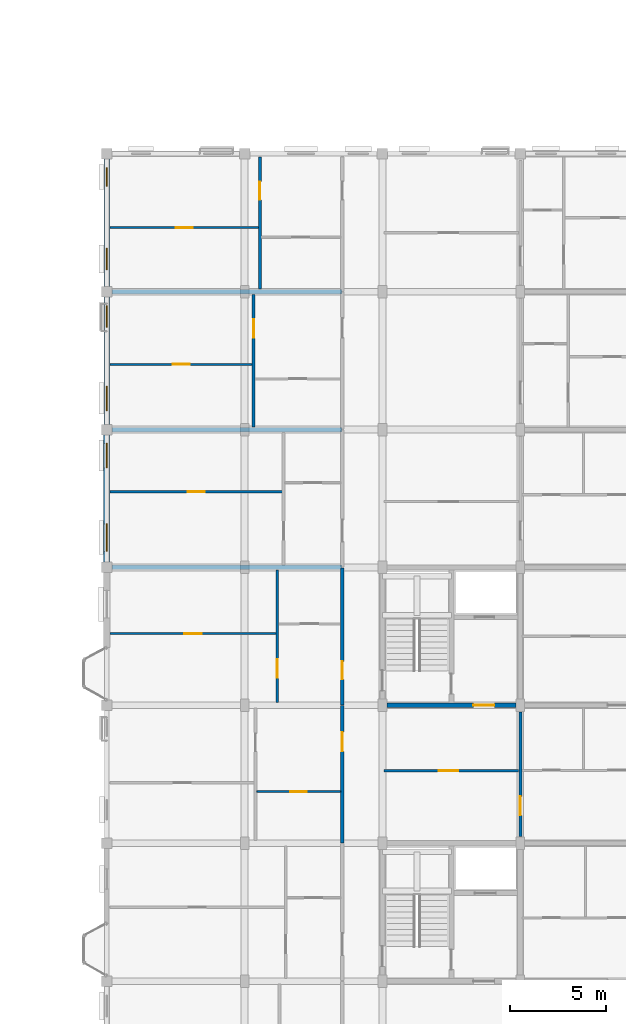
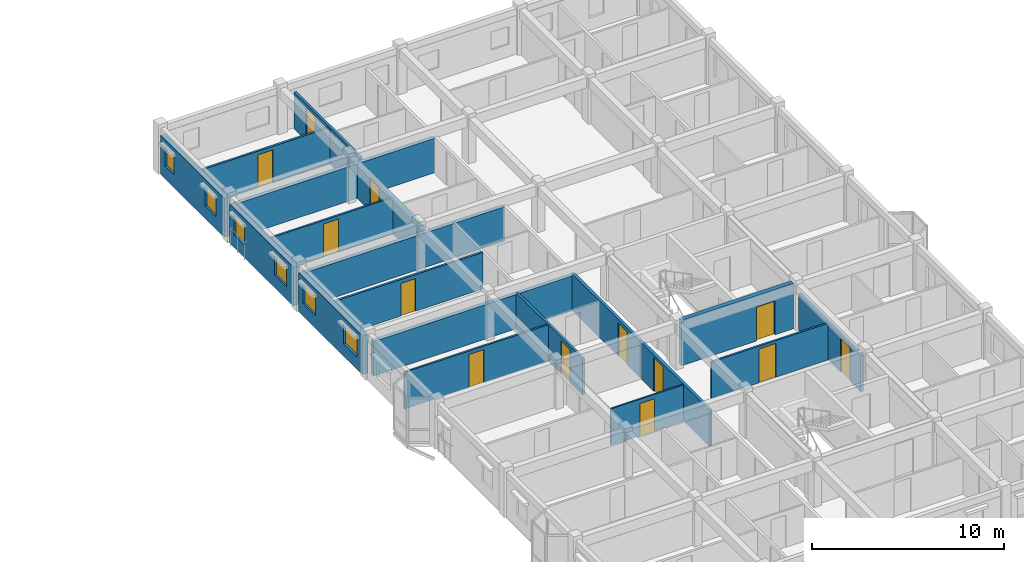
# One storey, part 62 of 79: 19 walls, 13 doors, 6 windows, 19 openings.
"""IFC4 building model written with IfcOpenShell, lengths in metres."""

import ifcopenshell
import ifcopenshell.guid

model = None  # the IFC model being written
_history = None  # IfcOwnerHistory: only IFC2X3 demands one
_inside = {}  # id of a spatial element -> (the spatial element, [elements in it])
_under = {}  # id of a project, library or spatial element -> (it, [spatial elements below it])
_declared = {}  # id of a project -> (the project, [libraries it declares])
_typed = {}  # id of a type object -> (the type object, [elements of that type])
_made_of = {}  # id of a material, layer set ... -> (it, [elements and type objects made of it])


def new_model(schema):
    """Start an empty IFC model of exactly this schema.

    Asked for "IFC4X3", IfcOpenShell would pick the latest addendum, in which some entities
    have other attributes; the version numbers below select the first issue.
    IFC2X3 requires an IfcOwnerHistory on every rooted entity: one is made here for all.
    """
    global model, _history
    if schema == "IFC4X3":
        model = ifcopenshell.file(schema_version=(4, 3, 0, 0))
    else:
        model = ifcopenshell.file(schema=schema)
    _inside.clear()
    _under.clear()
    _declared.clear()
    _typed.clear()
    _made_of.clear()
    _history = None
    if model.schema == "IFC2X3":
        org = make("IfcOrganization", Name="unknown")
        user = make(
            "IfcPersonAndOrganization",
            ThePerson=make("IfcPerson", FamilyName="unknown"),
            TheOrganization=org,
        )
        app = make(
            "IfcApplication",
            ApplicationDeveloper=org,
            Version="unknown",
            ApplicationFullName="unknown",
            ApplicationIdentifier="unknown",
        )
        _history = make(
            "IfcOwnerHistory",
            OwningUser=user,
            OwningApplication=app,
            ChangeAction="ADDED",
            CreationDate=0,
        )
    return model


def make(cls, **values):
    """One entity of the class cls with the attributes given. An attribute that is None is left unset."""
    return model.create_entity(
        cls, **{name: value for name, value in values.items() if value is not None}
    )


def rooted(cls, **values):
    """An entity with a GlobalId (a new one), such as an element, a storey or a relation."""
    return make(cls, GlobalId=ifcopenshell.guid.new(), OwnerHistory=_history, **values)


def si_unit(unit_type, name, prefix=None):
    """IfcSIUnit, for example si_unit("LENGTHUNIT", "METRE", prefix="MILLI")."""
    return make("IfcSIUnit", UnitType=unit_type, Prefix=prefix, Name=name)


def assignment(units):
    """IfcUnitAssignment: the units of a project."""
    return None if units is None else make("IfcUnitAssignment", Units=units)


def point(xyz):
    """IfcCartesianPoint."""
    return None if xyz is None else make("IfcCartesianPoint", Coordinates=xyz)


def direction(xyz):
    """IfcDirection."""
    return None if xyz is None else make("IfcDirection", DirectionRatios=xyz)


def frame(location, z_axis=None, x_axis=None):
    """IfcAxis2Placement3D, a coordinate frame: its origin and axes. An axis left out is left unset."""
    return make(
        "IfcAxis2Placement3D",
        Location=point(location),
        Axis=direction(z_axis),
        RefDirection=direction(x_axis),
    )


def frame_2d(location, x_axis=None):
    """IfcAxis2Placement2D, a coordinate frame in the plane: its origin and x axis."""
    return make(
        "IfcAxis2Placement2D", Location=point(location), RefDirection=direction(x_axis)
    )


def origin():
    """The frame at (0, 0, 0) with its axes left unset."""
    return frame((0.0, 0.0, 0.0))


def place(relative_to, where):
    """IfcLocalPlacement: puts the frame where relative to a parent placement (None: the world)."""
    return make(
        "IfcLocalPlacement", PlacementRelTo=relative_to, RelativePlacement=where
    )


def context(
    kind, dimensions, precision=None, world=None, true_north=None, identifier=None
):
    """IfcGeometricRepresentationContext, for example the 3D "Model" context."""
    return make(
        "IfcGeometricRepresentationContext",
        ContextIdentifier=identifier,
        ContextType=kind,
        CoordinateSpaceDimension=dimensions,
        Precision=precision,
        WorldCoordinateSystem=world,
        TrueNorth=true_north,
    )


def subcontext(parent, identifier, kind, view, scale=None):
    """IfcGeometricRepresentationSubContext, for example "Body" below "Model"."""
    return make(
        "IfcGeometricRepresentationSubContext",
        ContextIdentifier=identifier,
        ContextType=kind,
        ParentContext=parent,
        TargetScale=scale,
        TargetView=view,
    )


def project(units=None, contexts=None):
    """IfcProject with its units and contexts."""
    return rooted(
        "IfcProject",
        Name="project",
        RepresentationContexts=contexts,
        UnitsInContext=assignment(units),
    )


def spatial(cls, under=None, at=None, **own):
    """A site, building, storey or space (cls), placed at a placement, below another one or the project."""
    s = rooted(cls, ObjectPlacement=at, **own)
    if under is not None:
        _under.setdefault(under.id(), (under, []))[1].append(s)
    return s


def profile(cls, at=None, kind="AREA", **sizes):
    """A parametric profile (cls). Its sizes go by their IFC names, for example OverallWidth=200.0."""
    return make(cls, ProfileType=kind, Position=at, **sizes)


def rectangle(**sizes):
    """IfcRectangleProfileDef."""
    return profile("IfcRectangleProfileDef", **sizes)


def extrude(swept, where, along, depth):
    """IfcExtrudedAreaSolid: the profile swept, set in the frame where, extruded along a direction by depth."""
    return make(
        "IfcExtrudedAreaSolid",
        SweptArea=swept,
        Position=where,
        ExtrudedDirection=direction(along),
        Depth=depth,
    )


def shape(context_of_items, identifier, shape_type, items):
    """IfcShapeRepresentation: the items that make up one representation, for example the "Body"."""
    return make(
        "IfcShapeRepresentation",
        ContextOfItems=context_of_items,
        RepresentationIdentifier=identifier,
        RepresentationType=shape_type,
        Items=items,
    )


def material(Name=None, Category=None):
    """IfcMaterial."""
    return make("IfcMaterial", Name=Name, Category=Category)


def layer(
    of_material, thickness, ventilated=None, Name=None, Category=None, Priority=None
):
    """IfcMaterialLayer: one layer of a wall or slab, of a material (None: an air gap)."""
    return make(
        "IfcMaterialLayer",
        Material=of_material,
        LayerThickness=thickness,
        IsVentilated=ventilated,
        Name=Name,
        Category=Category,
        Priority=Priority,
    )


def layer_set(layers, Name=None):
    """IfcMaterialLayerSet."""
    return make("IfcMaterialLayerSet", MaterialLayers=layers, LayerSetName=Name)


def made_of(thing, what):
    """Note that an element or type object is made of a material, layer set ...; save() writes the relation."""
    if what is not None:
        _made_of.setdefault(what.id(), (what, []))[1].append(thing)
    return thing


def type_object(cls, material=None, **own):
    """A type object (cls), such as IfcWallType, which elements share."""
    return made_of(rooted(cls, **own), material)


def element(
    cls,
    number,
    at=None,
    inside=None,
    cuts=None,
    type_object=None,
    material=None,
    context=None,
    identifier="Body",
    shape_type=None,
    held_by="IfcProductDefinitionShape",
    body=None,
    shapes=None,
    **own,
):
    """One element of the class cls, such as IfcWall. Its Tag is "e" and its number.

    at: its placement. inside: the storey or other place that contains it. cuts: it is an
    opening in that element (IfcRelVoidsElement). A single representation is given by context,
    identifier, shape_type and body (its items); several are given by shapes. held_by: the class
    of the entity that holds the representations. save() writes the other relations.
    """
    e = rooted(cls, Tag="e%d" % number, ObjectPlacement=at, **own)
    if body is not None:
        shapes = [shape(context, identifier, shape_type, body)]
    if shapes is not None:
        e.Representation = make(held_by, Representations=shapes)
    if inside is not None:
        _inside.setdefault(inside.id(), (inside, []))[1].append(e)
    if cuts is not None:
        rooted(
            "IfcRelVoidsElement", RelatingBuildingElement=cuts, RelatedOpeningElement=e
        )
    if type_object is not None:
        _typed.setdefault(type_object.id(), (type_object, []))[1].append(e)
    return made_of(e, material)


def fill(opening, filler):
    """IfcRelFillsElement: the door or window that sits in an opening."""
    return rooted(
        "IfcRelFillsElement",
        RelatingOpeningElement=opening,
        RelatedBuildingElement=filler,
    )


def aggregate(whole, parts):
    """IfcRelAggregates: a whole, such as a stair, and the parts it consists of."""
    return rooted("IfcRelAggregates", RelatingObject=whole, RelatedObjects=parts)


def save(model, path):
    """Write the relations noted so far, then the file.

    IfcRelAggregates (storeys below a building ...), IfcRelContainedInSpatialStructure (elements
    in a storey), IfcRelDefinesByType, IfcRelAssociatesMaterial and IfcRelDeclares: one each for
    every whole, place, type object, material and project.
    """
    for whole, parts in _under.values():
        aggregate(whole, parts)
    for where, things in _inside.values():
        rooted(
            "IfcRelContainedInSpatialStructure",
            RelatedElements=things,
            RelatingStructure=where,
        )
    for kind, things in _typed.values():
        rooted("IfcRelDefinesByType", RelatedObjects=things, RelatingType=kind)
    for what, things in _made_of.values():
        rooted("IfcRelAssociatesMaterial", RelatedObjects=things, RelatingMaterial=what)
    for by, libraries in _declared.values():
        rooted("IfcRelDeclares", RelatingContext=by, RelatedDefinitions=libraries)
    model.write(path)


model = new_model("IFC4")

# Units and contexts
model_context = context("Model", 3, precision=1e-05, world=origin(), true_north=direction((0.0, 1.0)))
body_context = subcontext(model_context, "Body", "Model", "MODEL_VIEW")
ifc_project = project(units=[si_unit("LENGTHUNIT", "METRE"), si_unit("AREAUNIT", "SQUARE_METRE"), si_unit("VOLUMEUNIT", "CUBIC_METRE"), si_unit("PLANEANGLEUNIT", "RADIAN"), si_unit("MASSUNIT", "GRAM", prefix="KILO"), si_unit("THERMODYNAMICTEMPERATUREUNIT", "KELVIN"), si_unit("POWERUNIT", "WATT")], contexts=[model_context])

# Site, building, storey
site_placement = place(None, origin())
site = spatial("IfcSite", under=ifc_project, at=site_placement, CompositionType="ELEMENT")
building_placement = place(site_placement, origin())
building = spatial("IfcBuilding", under=site, at=building_placement, Name="Tavuni Mirador Residences", CompositionType="ELEMENT")
storey_placement = place(building_placement, frame((0.0, 0.0, 13.949951171875)))
storey = spatial("IfcBuildingStorey", under=building, at=storey_placement, Name="L04", CompositionType="ELEMENT", Elevation=13.949951171875)

# Wall, opening, door
ifc_material_1 = material(Name="Precast concrete C40/50", Category="concrete")
ifc_layer_1 = layer(ifc_material_1, 0.25, Name="Precast concrete C40/50", Category="concrete")
ifc_layer_set_1 = layer_set([ifc_layer_1], Name="Precast concrete C40/50")
wall_type_1 = type_object("IfcWallType", Name="WT-COR250", PredefinedType="SHEAR", material=ifc_layer_set_1)
wall_1_placement = place(storey_placement, frame((104.625, 108.0, 0.0), z_axis=(0.0, 0.0, 1.0), x_axis=(1.0, 0.0, 0.0)))
wall_1 = element("IfcWall", 1, at=wall_1_placement, inside=storey, type_object=wall_type_1, Name="CWALL-C8-L04-SS", PredefinedType="SHEAR", context=body_context, shape_type="SweptSolid", body=[
    extrude(rectangle(XDim=6.75, YDim=0.25, at=frame_2d((3.375, 0.0))), origin(), (0.0, 0.0, 1.0), 2.89013671875),
])
opening_1_placement = place(wall_1_placement, frame((4.52490234375, 0.0, 0.0)))
opening_1 = element("IfcOpeningElement", 2, at=opening_1_placement, cuts=wall_1, Name="Opening D-02", PredefinedType="OPENING", context=body_context, shape_type="SweptSolid", body=[
    extrude(rectangle(XDim=1.10009765625, YDim=2.14990234375, at=frame_2d((0.550048828125, 1.074951171875))), frame((0.0, 0.135009765625, 0.0), z_axis=(0.0, -1.0, 0.0), x_axis=(1.0, 0.0, 0.0)), (0.0, 0.0, 1.0), 0.27001953125),
])
ifc_material_2 = material(Name="Solid core iroko timber", Category="wood")
door_type_1 = type_object("IfcDoorType", Name="DT-LOB1100", OperationType="NOTDEFINED", PredefinedType="DOOR", material=ifc_material_2)
door_1_placement = place(opening_1_placement, frame((1.10009765625, 0.0, 0.0), z_axis=(0.0, 0.0, 1.0), x_axis=(-1.0, 0.0, 0.0)))
door_1 = element("IfcDoor", 3, at=door_1_placement, inside=storey, type_object=door_type_1, Name="DR-2330", OperationType="SINGLE_SWING_RIGHT", OverallHeight=2.14990234375, OverallWidth=1.10009765625, PredefinedType="DOOR", context=body_context, shape_type="SweptSolid", body=[
    extrude(rectangle(XDim=1.10009765625, YDim=2.14990234375, at=frame_2d((0.550048828125, 1.074951171875))), frame((0.0, 0.02490234375, 0.0), z_axis=(0.0, -1.0, 0.0), x_axis=(1.0, 0.0, 0.0)), (0.0, 0.0, 1.0), 0.050048828125),
])
fill(opening_1, door_1)

ifc_layer_2 = layer(ifc_material_1, 0.1650390625, Name="Precast concrete C40/50", Category="concrete")
ifc_layer_set_2 = layer_set([ifc_layer_2], Name="Precast concrete C40/50")
wall_type_2 = type_object("IfcWallType", Name="WT-CORR165", PredefinedType="PARTITIONING", material=ifc_layer_set_2)
wall_2_placement = place(storey_placement, frame((102.300048828125, 100.820068359375, 0.0), z_axis=(0.0, 0.0, 1.0), x_axis=(0.0, 1.0, 0.0)))
wall_2 = element("IfcWall", 4, at=wall_2_placement, inside=storey, type_object=wall_type_2, Name="CORW-BLK-D-L04-0-02", PredefinedType="PARTITIONING", context=body_context, shape_type="SweptSolid", body=[
    extrude(rectangle(XDim=7.159912109375, YDim=0.1650390625, at=frame_2d((3.580078125, 0.0))), origin(), (0.0, 0.0, 1.0), 2.324951171875),
])
opening_2_placement = place(wall_2_placement, frame((4.780029296875, 0.0, 0.0)))
opening_2 = element("IfcOpeningElement", 5, at=opening_2_placement, cuts=wall_2, Name="Opening D-03", PredefinedType="OPENING", context=body_context, shape_type="SweptSolid", body=[
    extrude(rectangle(XDim=1.0, YDim=2.14990234375, at=frame_2d((0.5, 1.074951171875))), frame((0.0, 0.092529296875, 0.0), z_axis=(0.0, -1.0, 0.0), x_axis=(1.0, 0.0, 0.0)), (0.0, 0.0, 1.0), 0.18505859375),
])
door_type_2 = type_object("IfcDoorType", Name="DT-FD60-1000", OperationType="NOTDEFINED", PredefinedType="DOOR", material=ifc_material_2)
door_2_placement = place(opening_2_placement, origin())
door_2 = element("IfcDoor", 6, at=door_2_placement, inside=storey, type_object=door_type_2, Name="DR-2859", OperationType="SINGLE_SWING_RIGHT", OverallHeight=2.14990234375, OverallWidth=1.0, PredefinedType="DOOR", context=body_context, shape_type="SweptSolid", body=[
    extrude(rectangle(XDim=1.0, YDim=2.14990234375, at=frame_2d((0.5, 1.074951171875))), frame((0.0, 0.02490234375, 0.0), z_axis=(0.0, -1.0, 0.0), x_axis=(1.0, 0.0, 0.0)), (0.0, 0.0, 1.0), 0.050048828125),
])
fill(opening_2, door_2)

wall_3_placement = place(storey_placement, frame((102.300048828125, 108.02001953125, 0.0), z_axis=(0.0, 0.0, 1.0), x_axis=(0.0, 1.0, 0.0)))
wall_3 = element("IfcWall", 7, at=wall_3_placement, inside=storey, type_object=wall_type_2, Name="CORW-BLK-D-L04-0-03", PredefinedType="PARTITIONING", context=body_context, shape_type="SweptSolid", body=[
    extrude(rectangle(XDim=7.159912109375, YDim=0.1650390625, at=frame_2d((3.580078125, 0.0))), origin(), (0.0, 0.0, 1.0), 2.324951171875),
])
opening_3_placement = place(wall_3_placement, frame((1.330078125, 0.0, 0.0)))
opening_3 = element("IfcOpeningElement", 8, at=opening_3_placement, cuts=wall_3, Name="Opening D-19", PredefinedType="OPENING", context=body_context, shape_type="SweptSolid", body=[
    extrude(rectangle(XDim=0.93994140625, YDim=2.1201171875, at=frame_2d((0.469970703125, 1.06005859375))), frame((0.0, 0.092529296875, 0.0), z_axis=(0.0, -1.0, 0.0), x_axis=(1.0, 0.0, 0.0)), (0.0, 0.0, 1.0), 0.18505859375),
])
door_type_3 = type_object("IfcDoorType", Name="DT-FD60-940", OperationType="NOTDEFINED", PredefinedType="DOOR", material=ifc_material_2)
door_3_placement = place(opening_3_placement, origin())
door_3 = element("IfcDoor", 9, at=door_3_placement, inside=storey, type_object=door_type_3, Name="DR-2860", OperationType="SINGLE_SWING_LEFT", OverallHeight=2.1201171875, OverallWidth=0.93994140625, PredefinedType="DOOR", context=body_context, shape_type="SweptSolid", body=[
    extrude(rectangle(XDim=0.93994140625, YDim=2.1201171875, at=frame_2d((0.469970703125, 1.06005859375))), frame((0.0, 0.02490234375, 0.0), z_axis=(0.0, -1.0, 0.0), x_axis=(1.0, 0.0, 0.0)), (0.0, 0.0, 1.0), 0.050048828125),
])
fill(opening_3, door_3)

wall_4_placement = place(storey_placement, frame((111.60009765625, 101.14990234375, 0.0), z_axis=(0.0, 0.0, 1.0), x_axis=(0.0, 1.0, 0.0)))
wall_4 = element("IfcWall", 10, at=wall_4_placement, inside=storey, type_object=wall_type_2, Name="CORW-BLK-D-L04-1-02", PredefinedType="PARTITIONING", context=body_context, shape_type="SweptSolid", body=[
    extrude(rectangle(XDim=6.5, YDim=0.1650390625, at=frame_2d((3.25, 0.0))), origin(), (0.0, 0.0, 1.0), 2.324951171875),
])
opening_4_placement = place(wall_4_placement, frame((1.10009765625, 0.0, 0.0)))
opening_4 = element("IfcOpeningElement", 11, at=opening_4_placement, cuts=wall_4, Name="Opening D-03", PredefinedType="OPENING", context=body_context, shape_type="SweptSolid", body=[
    extrude(rectangle(XDim=1.0, YDim=2.14990234375, at=frame_2d((0.5, 1.074951171875))), frame((0.0, 0.092529296875, 0.0), z_axis=(0.0, -1.0, 0.0), x_axis=(1.0, 0.0, 0.0)), (0.0, 0.0, 1.0), 0.18505859375),
])
door_4_placement = place(opening_4_placement, origin())
door_4 = element("IfcDoor", 12, at=door_4_placement, inside=storey, type_object=door_type_2, Name="DR-2865", OperationType="SINGLE_SWING_RIGHT", OverallHeight=2.14990234375, OverallWidth=1.0, PredefinedType="DOOR", context=body_context, shape_type="SweptSolid", body=[
    extrude(rectangle(XDim=1.0, YDim=2.14990234375, at=frame_2d((0.5, 1.074951171875))), frame((0.0, 0.02490234375, 0.0), z_axis=(0.0, -1.0, 0.0), x_axis=(1.0, 0.0, 0.0)), (0.0, 0.0, 1.0), 0.050048828125),
])
fill(opening_4, door_4)

# Wall, openings, windows
ifc_material_3 = material(Name="Sgraffito lime-rendered precast concrete C40/50", Category="concrete")
ifc_layer_3 = layer(ifc_material_3, 0.2900390625, Name="Sgraffito lime-rendered precast concrete C40/50", Category="concrete")
ifc_layer_set_3 = layer_set([ifc_layer_3], Name="Sgraffito lime-rendered precast concrete C40/50")
wall_type_3 = type_object("IfcWallType", Name="WT-EXT-PC290", PredefinedType="SOLIDWALL", material=ifc_layer_set_3)
wall_5_placement = place(storey_placement, frame((90.0, 136.52490234375, 0.0), z_axis=(0.0, 0.0, 1.0), x_axis=(0.0, -1.0, 0.0)))
wall_5 = element("IfcWall", 13, at=wall_5_placement, inside=storey, type_object=wall_type_3, Name="EW-BLK-D-L04-W06", PredefinedType="SOLIDWALL", context=body_context, shape_type="SweptSolid", body=[
    extrude(rectangle(XDim=6.64990234375, YDim=0.2900390625, at=frame_2d((3.324951171875, 0.0))), origin(), (0.0, 0.0, 1.0), 2.4599609375),
])
opening_5_placement = place(wall_5_placement, frame((0.449951171875, 0.0, 0.780029296875)))
opening_5 = element("IfcOpeningElement", 14, at=opening_5_placement, cuts=wall_5, Name="Opening WN-10", PredefinedType="OPENING", context=body_context, shape_type="SweptSolid", body=[
    extrude(rectangle(XDim=0.9599609375, YDim=1.260009765625, at=frame_2d((0.47998046875, 0.6298828125))), frame((0.0, 0.155029296875, 0.0), z_axis=(0.0, -1.0, 0.0), x_axis=(1.0, 0.0, 0.0)), (0.0, 0.0, 1.0), 0.31005859375),
])
opening_6_placement = place(wall_5_placement, frame((4.64990234375, 0.0, 0.780029296875)))
opening_6 = element("IfcOpeningElement", 15, at=opening_6_placement, cuts=wall_5, Name="Opening WN-12", PredefinedType="OPENING", context=body_context, shape_type="SweptSolid", body=[
    extrude(rectangle(XDim=1.1201171875, YDim=1.260009765625, at=frame_2d((0.56005859375, 0.6298828125))), frame((0.0, 0.155029296875, 0.0), z_axis=(0.0, -1.0, 0.0), x_axis=(1.0, 0.0, 0.0)), (0.0, 0.0, 1.0), 0.31005859375),
])
ifc_material_4 = material(Name="Laminated solar-control glass", Category="glass")
window_type_1 = type_object("IfcWindowType", Name="WNT-10", PartitioningType="SINGLE_PANEL", PredefinedType="WINDOW", material=ifc_material_4)
window_1_placement = place(opening_5_placement, origin())
window_1 = element("IfcWindow", 16, at=window_1_placement, inside=storey, type_object=window_type_1, Name="WIN-1595", OverallHeight=1.260009765625, OverallWidth=0.9599609375, PartitioningType="SINGLE_PANEL", PredefinedType="WINDOW", context=body_context, shape_type="SweptSolid", body=[
    extrude(rectangle(XDim=0.9599609375, YDim=1.260009765625, at=frame_2d((0.47998046875, 0.6298828125))), frame((0.0, 0.030029296875, 0.0), z_axis=(0.0, -1.0, 0.0), x_axis=(1.0, 0.0, 0.0)), (0.0, 0.0, 1.0), 0.06005859375),
])
fill(opening_5, window_1)
window_type_2 = type_object("IfcWindowType", Name="WNT-12", PartitioningType="SINGLE_PANEL", PredefinedType="WINDOW", material=ifc_material_4)
window_2_placement = place(opening_6_placement, origin())
window_2 = element("IfcWindow", 17, at=window_2_placement, inside=storey, type_object=window_type_2, Name="WIN-1596", OverallHeight=1.260009765625, OverallWidth=1.1201171875, PartitioningType="SINGLE_PANEL", PredefinedType="WINDOW", context=body_context, shape_type="SweptSolid", body=[
    extrude(rectangle(XDim=1.1201171875, YDim=1.260009765625, at=frame_2d((0.56005859375, 0.6298828125))), frame((0.0, 0.030029296875, 0.0), z_axis=(0.0, -1.0, 0.0), x_axis=(1.0, 0.0, 0.0)), (0.0, 0.0, 1.0), 0.06005859375),
])
fill(opening_6, window_2)

ifc_layer_4 = layer(ifc_material_3, 0.304931640625, Name="Sgraffito lime-rendered precast concrete C40/50", Category="concrete")
ifc_layer_set_4 = layer_set([ifc_layer_4], Name="Sgraffito lime-rendered precast concrete C40/50")
wall_type_4 = type_object("IfcWallType", Name="WT-EXT-PC305", PredefinedType="SOLIDWALL", material=ifc_layer_set_4)
wall_6_placement = place(storey_placement, frame((90.0, 129.324951171875, 0.0), z_axis=(0.0, 0.0, 1.0), x_axis=(0.0, -1.0, 0.0)))
wall_6 = element("IfcWall", 18, at=wall_6_placement, inside=storey, type_object=wall_type_4, Name="EW-BLK-D-L04-W05", PredefinedType="SOLIDWALL", context=body_context, shape_type="SweptSolid", body=[
    extrude(rectangle(XDim=6.64990234375, YDim=0.304931640625, at=frame_2d((3.324951171875, 0.0))), origin(), (0.0, 0.0, 1.0), 2.4599609375),
])
opening_7_placement = place(wall_6_placement, frame((0.449951171875, 0.0, 0.780029296875)))
opening_7 = element("IfcOpeningElement", 19, at=opening_7_placement, cuts=wall_6, Name="Opening WN-12", PredefinedType="OPENING", context=body_context, shape_type="SweptSolid", body=[
    extrude(rectangle(XDim=1.1201171875, YDim=1.260009765625, at=frame_2d((0.56005859375, 0.6298828125))), frame((0.0, 0.16259765625, 0.0), z_axis=(0.0, -1.0, 0.0), x_axis=(1.0, 0.0, 0.0)), (0.0, 0.0, 1.0), 0.324951171875),
])
opening_8_placement = place(wall_6_placement, frame((4.64990234375, 0.0, 0.780029296875)))
opening_8 = element("IfcOpeningElement", 20, at=opening_8_placement, cuts=wall_6, Name="Opening WN-14", PredefinedType="OPENING", context=body_context, shape_type="SweptSolid", body=[
    extrude(rectangle(XDim=1.280029296875, YDim=1.260009765625, at=frame_2d((0.64013671875, 0.6298828125))), frame((0.0, 0.16259765625, 0.0), z_axis=(0.0, -1.0, 0.0), x_axis=(1.0, 0.0, 0.0)), (0.0, 0.0, 1.0), 0.324951171875),
])
window_3_placement = place(opening_7_placement, origin())
window_3 = element("IfcWindow", 21, at=window_3_placement, inside=storey, type_object=window_type_2, Name="WIN-1597", OverallHeight=1.260009765625, OverallWidth=1.1201171875, PartitioningType="SINGLE_PANEL", PredefinedType="WINDOW", context=body_context, shape_type="SweptSolid", body=[
    extrude(rectangle(XDim=1.1201171875, YDim=1.260009765625, at=frame_2d((0.56005859375, 0.6298828125))), frame((0.0, 0.030029296875, 0.0), z_axis=(0.0, -1.0, 0.0), x_axis=(1.0, 0.0, 0.0)), (0.0, 0.0, 1.0), 0.06005859375),
])
fill(opening_7, window_3)
window_type_3 = type_object("IfcWindowType", Name="WNT-14", PartitioningType="SINGLE_PANEL", PredefinedType="WINDOW", material=ifc_material_4)
window_4_placement = place(opening_8_placement, origin())
window_4 = element("IfcWindow", 22, at=window_4_placement, inside=storey, type_object=window_type_3, Name="WIN-1598", OverallHeight=1.260009765625, OverallWidth=1.280029296875, PartitioningType="SINGLE_PANEL", PredefinedType="WINDOW", context=body_context, shape_type="SweptSolid", body=[
    extrude(rectangle(XDim=1.280029296875, YDim=1.260009765625, at=frame_2d((0.64013671875, 0.6298828125))), frame((0.0, 0.030029296875, 0.0), z_axis=(0.0, -1.0, 0.0), x_axis=(1.0, 0.0, 0.0)), (0.0, 0.0, 1.0), 0.06005859375),
])
fill(opening_8, window_4)

ifc_layer_5 = layer(ifc_material_3, 0.31494140625, Name="Sgraffito lime-rendered precast concrete C40/50", Category="concrete")
ifc_layer_set_5 = layer_set([ifc_layer_5], Name="Sgraffito lime-rendered precast concrete C40/50")
wall_type_5 = type_object("IfcWallType", Name="WT-EXT-PC315", PredefinedType="SOLIDWALL", material=ifc_layer_set_5)
wall_7_placement = place(storey_placement, frame((90.0, 122.125, 0.0), z_axis=(0.0, 0.0, 1.0), x_axis=(0.0, -1.0, 0.0)))
wall_7 = element("IfcWall", 23, at=wall_7_placement, inside=storey, type_object=wall_type_5, Name="EW-BLK-D-L04-W04", PredefinedType="SOLIDWALL", context=body_context, shape_type="SweptSolid", body=[
    extrude(rectangle(XDim=6.64990234375, YDim=0.31494140625, at=frame_2d((3.324951171875, 0.0))), origin(), (0.0, 0.0, 1.0), 2.4599609375),
])
opening_9_placement = place(wall_7_placement, frame((0.449951171875, 0.0, 0.780029296875)))
opening_9 = element("IfcOpeningElement", 24, at=opening_9_placement, cuts=wall_7, Name="Opening WN-14", PredefinedType="OPENING", context=body_context, shape_type="SweptSolid", body=[
    extrude(rectangle(XDim=1.280029296875, YDim=1.260009765625, at=frame_2d((0.64013671875, 0.6298828125))), frame((0.0, 0.16748046875, 0.0), z_axis=(0.0, -1.0, 0.0), x_axis=(1.0, 0.0, 0.0)), (0.0, 0.0, 1.0), 0.3349609375),
])
opening_10_placement = place(wall_7_placement, frame((4.64990234375, 0.0, 0.780029296875)))
opening_10 = element("IfcOpeningElement", 25, at=opening_10_placement, cuts=wall_7, Name="Opening WN-16", PredefinedType="OPENING", context=body_context, shape_type="SweptSolid", body=[
    extrude(rectangle(XDim=1.43994140625, YDim=1.260009765625, at=frame_2d((0.719970703125, 0.6298828125))), frame((0.0, 0.16748046875, 0.0), z_axis=(0.0, -1.0, 0.0), x_axis=(1.0, 0.0, 0.0)), (0.0, 0.0, 1.0), 0.3349609375),
])
window_5_placement = place(opening_9_placement, origin())
window_5 = element("IfcWindow", 26, at=window_5_placement, inside=storey, type_object=window_type_3, Name="WIN-1599", OverallHeight=1.260009765625, OverallWidth=1.280029296875, PartitioningType="SINGLE_PANEL", PredefinedType="WINDOW", context=body_context, shape_type="SweptSolid", body=[
    extrude(rectangle(XDim=1.280029296875, YDim=1.260009765625, at=frame_2d((0.64013671875, 0.6298828125))), frame((0.0, 0.030029296875, 0.0), z_axis=(0.0, -1.0, 0.0), x_axis=(1.0, 0.0, 0.0)), (0.0, 0.0, 1.0), 0.06005859375),
])
fill(opening_9, window_5)
window_type_4 = type_object("IfcWindowType", Name="WNT-16", PartitioningType="SINGLE_PANEL", PredefinedType="WINDOW", material=ifc_material_4)
window_6_placement = place(opening_10_placement, origin())
window_6 = element("IfcWindow", 27, at=window_6_placement, inside=storey, type_object=window_type_4, Name="WIN-1600", OverallHeight=1.260009765625, OverallWidth=1.43994140625, PartitioningType="SINGLE_PANEL", PredefinedType="WINDOW", context=body_context, shape_type="SweptSolid", body=[
    extrude(rectangle(XDim=1.43994140625, YDim=1.260009765625, at=frame_2d((0.719970703125, 0.6298828125))), frame((0.0, 0.030029296875, 0.0), z_axis=(0.0, -1.0, 0.0), x_axis=(1.0, 0.0, 0.0)), (0.0, 0.0, 1.0), 0.06005859375),
])
fill(opening_10, window_6)

# Wall, opening, door
ifc_material_5 = material(Name="Acoustic gypsum and concrete block partition", Category="concrete")
ifc_layer_6 = layer(ifc_material_5, 0.094970703125, Name="Acoustic gypsum and concrete block partition", Category="concrete")
ifc_layer_set_6 = layer_set([ifc_layer_6], Name="Acoustic gypsum and concrete block partition")
wall_type_6 = type_object("IfcWallType", Name="WT-PART095", PredefinedType="PARTITIONING", material=ifc_layer_set_6)
wall_8_placement = place(storey_placement, frame((97.840087890625, 103.5, 0.0), z_axis=(0.0, 0.0, 1.0), x_axis=(1.0, 0.0, 0.0)))
wall_8 = element("IfcWall", 28, at=wall_8_placement, inside=storey, type_object=wall_type_6, Name="PW-BLK-D-L04-W02-IN1", PredefinedType="PARTITIONING", context=body_context, shape_type="SweptSolid", body=[
    extrude(rectangle(XDim=4.369873046875, YDim=0.094970703125, at=frame_2d((2.18505859375, 0.0))), origin(), (0.0, 0.0, 1.0), 2.324951171875),
])
opening_11_placement = place(wall_8_placement, frame((1.75, 0.0, 0.0)))
opening_11 = element("IfcOpeningElement", 29, at=opening_11_placement, cuts=wall_8, Name="Opening D-10", PredefinedType="OPENING", context=body_context, shape_type="SweptSolid", body=[
    extrude(rectangle(XDim=0.8701171875, YDim=2.050048828125, at=frame_2d((0.43505859375, 1.02490234375))), frame((0.0, 0.0576171875, 0.0), z_axis=(0.0, -1.0, 0.0), x_axis=(1.0, 0.0, 0.0)), (0.0, 0.0, 1.0), 0.114990234375),
])
door_type_4 = type_object("IfcDoorType", Name="DT-WC870", OperationType="NOTDEFINED", PredefinedType="DOOR", material=ifc_material_2)
door_5_placement = place(opening_11_placement, origin())
door_5 = element("IfcDoor", 30, at=door_5_placement, inside=storey, type_object=door_type_4, Name="DR-4444", OperationType="SINGLE_SWING_LEFT", OverallHeight=2.050048828125, OverallWidth=0.8701171875, PredefinedType="DOOR", context=body_context, shape_type="SweptSolid", body=[
    extrude(rectangle(XDim=0.8701171875, YDim=2.050048828125, at=frame_2d((0.43505859375, 1.02490234375))), frame((0.0, 0.02490234375, 0.0), z_axis=(0.0, -1.0, 0.0), x_axis=(1.0, 0.0, 0.0)), (0.0, 0.0, 1.0), 0.050048828125),
])
fill(opening_11, door_5)

ifc_layer_7 = layer(ifc_material_5, 0.114990234375, Name="Acoustic gypsum and concrete block partition", Category="concrete")
ifc_layer_set_7 = layer_set([ifc_layer_7], Name="Acoustic gypsum and concrete block partition")
wall_type_7 = type_object("IfcWallType", Name="WT-PART115", PredefinedType="PARTITIONING", material=ifc_layer_set_7)
wall_9_placement = place(storey_placement, frame((104.489990234375, 104.580078125, 0.0), z_axis=(0.0, 0.0, 1.0), x_axis=(1.0, 0.0, 0.0)))
wall_9 = element("IfcWall", 31, at=wall_9_placement, inside=storey, type_object=wall_type_7, Name="PW-SPN-BLK-D-L04-02", PredefinedType="PARTITIONING", context=body_context, shape_type="SweptSolid", body=[
    extrude(rectangle(XDim=7.02001953125, YDim=0.114990234375, at=frame_2d((3.510009765625, 0.0))), origin(), (0.0, 0.0, 1.0), 2.324951171875),
])
opening_12_placement = place(wall_9_placement, frame((2.85009765625, 0.0, 0.0)))
opening_12 = element("IfcOpeningElement", 32, at=opening_12_placement, cuts=wall_9, Name="Opening D-13", PredefinedType="OPENING", context=body_context, shape_type="SweptSolid", body=[
    extrude(rectangle(XDim=1.02001953125, YDim=2.14990234375, at=frame_2d((0.510009765625, 1.074951171875))), frame((0.0, 0.0673828125, 0.0), z_axis=(0.0, -1.0, 0.0), x_axis=(1.0, 0.0, 0.0)), (0.0, 0.0, 1.0), 0.135009765625),
])
door_type_5 = type_object("IfcDoorType", Name="DT-MTG1020", OperationType="NOTDEFINED", PredefinedType="DOOR", material=ifc_material_2)
door_6_placement = place(opening_12_placement, origin())
door_6 = element("IfcDoor", 33, at=door_6_placement, inside=storey, type_object=door_type_5, Name="DR-4442", OperationType="SINGLE_SWING_LEFT", OverallHeight=2.14990234375, OverallWidth=1.02001953125, PredefinedType="DOOR", context=body_context, shape_type="SweptSolid", body=[
    extrude(rectangle(XDim=1.02001953125, YDim=2.14990234375, at=frame_2d((0.510009765625, 1.074951171875))), frame((0.0, 0.02490234375, 0.0), z_axis=(0.0, -1.0, 0.0), x_axis=(1.0, 0.0, 0.0)), (0.0, 0.0, 1.0), 0.050048828125),
])
fill(opening_12, door_6)

wall_10_placement = place(storey_placement, frame((90.175048828125, 111.75, 0.0), z_axis=(0.0, 0.0, 1.0), x_axis=(1.0, 0.0, 0.0)))
wall_10 = element("IfcWall", 34, at=wall_10_placement, inside=storey, type_object=wall_type_7, Name="PW-BLK-D-L04-W03-OUT", PredefinedType="PARTITIONING", context=body_context, shape_type="SweptSolid", body=[
    extrude(rectangle(XDim=8.655029296875, YDim=0.114990234375, at=frame_2d((4.32763671875, 0.0))), origin(), (0.0, 0.0, 1.0), 2.324951171875),
])
opening_13_placement = place(wall_10_placement, frame((3.87744140625, 0.0, 0.0)))
opening_13 = element("IfcOpeningElement", 35, at=opening_13_placement, cuts=wall_10, Name="Opening D-07", PredefinedType="OPENING", context=body_context, shape_type="SweptSolid", body=[
    extrude(rectangle(XDim=0.89990234375, YDim=2.10009765625, at=frame_2d((0.449951171875, 1.050048828125))), frame((0.0, 0.0673828125, 0.0), z_axis=(0.0, -1.0, 0.0), x_axis=(1.0, 0.0, 0.0)), (0.0, 0.0, 1.0), 0.135009765625),
])
door_type_6 = type_object("IfcDoorType", Name="DT-BED900", OperationType="NOTDEFINED", PredefinedType="DOOR", material=ifc_material_2)
door_7_placement = place(opening_13_placement, origin())
door_7 = element("IfcDoor", 36, at=door_7_placement, inside=storey, type_object=door_type_6, Name="DR-4448", OperationType="SINGLE_SWING_LEFT", OverallHeight=2.10009765625, OverallWidth=0.89990234375, PredefinedType="DOOR", context=body_context, shape_type="SweptSolid", body=[
    extrude(rectangle(XDim=0.89990234375, YDim=2.10009765625, at=frame_2d((0.449951171875, 1.050048828125))), frame((0.0, 0.02490234375, 0.0), z_axis=(0.0, -1.0, 0.0), x_axis=(1.0, 0.0, 0.0)), (0.0, 0.0, 1.0), 0.050048828125),
])
fill(opening_13, door_7)

wall_11_placement = place(storey_placement, frame((90.175048828125, 125.800048828125, 0.0), z_axis=(0.0, 0.0, 1.0), x_axis=(1.0, 0.0, 0.0)))
wall_11 = element("IfcWall", 37, at=wall_11_placement, inside=storey, type_object=wall_type_7, Name="PW-BLK-D-L04-W05-OUT", PredefinedType="PARTITIONING", context=body_context, shape_type="SweptSolid", body=[
    extrude(rectangle(XDim=7.425048828125, YDim=0.114990234375, at=frame_2d((3.71240234375, 0.0))), origin(), (0.0, 0.0, 1.0), 2.324951171875),
])
opening_14_placement = place(wall_11_placement, frame((3.262451171875, 0.0, 0.0)))
opening_14 = element("IfcOpeningElement", 38, at=opening_14_placement, cuts=wall_11, Name="Opening D-07", PredefinedType="OPENING", context=body_context, shape_type="SweptSolid", body=[
    extrude(rectangle(XDim=0.89990234375, YDim=2.10009765625, at=frame_2d((0.449951171875, 1.050048828125))), frame((0.0, 0.0673828125, 0.0), z_axis=(0.0, -1.0, 0.0), x_axis=(1.0, 0.0, 0.0)), (0.0, 0.0, 1.0), 0.135009765625),
])
door_8_placement = place(opening_14_placement, origin())
door_8 = element("IfcDoor", 39, at=door_8_placement, inside=storey, type_object=door_type_6, Name="DR-4458", OperationType="SINGLE_SWING_LEFT", OverallHeight=2.10009765625, OverallWidth=0.89990234375, PredefinedType="DOOR", context=body_context, shape_type="SweptSolid", body=[
    extrude(rectangle(XDim=0.89990234375, YDim=2.10009765625, at=frame_2d((0.449951171875, 1.050048828125))), frame((0.0, 0.02490234375, 0.0), z_axis=(0.0, -1.0, 0.0), x_axis=(1.0, 0.0, 0.0)), (0.0, 0.0, 1.0), 0.050048828125),
])
fill(opening_14, door_8)

ifc_layer_8 = layer(ifc_material_5, 0.125, Name="Acoustic gypsum and concrete block partition", Category="concrete")
ifc_layer_set_8 = layer_set([ifc_layer_8], Name="Acoustic gypsum and concrete block partition")
wall_type_8 = type_object("IfcWallType", Name="WT-PART125", PredefinedType="PARTITIONING", material=ifc_layer_set_8)
wall_12_placement = place(storey_placement, frame((90.175048828125, 119.14990234375, 0.0), z_axis=(0.0, 0.0, 1.0), x_axis=(1.0, 0.0, 0.0)))
wall_12 = element("IfcWall", 40, at=wall_12_placement, inside=storey, type_object=wall_type_8, Name="PW-BLK-D-L04-W04-OUT", PredefinedType="PARTITIONING", context=body_context, shape_type="SweptSolid", body=[
    extrude(rectangle(XDim=8.994873046875, YDim=0.125, at=frame_2d((4.49755859375, 0.0))), origin(), (0.0, 0.0, 1.0), 2.324951171875),
])
opening_15_placement = place(wall_12_placement, frame((4.0576171875, 0.0, 0.0)))
opening_15 = element("IfcOpeningElement", 41, at=opening_15_placement, cuts=wall_12, Name="Opening D-08", PredefinedType="OPENING", context=body_context, shape_type="SweptSolid", body=[
    extrude(rectangle(XDim=0.8798828125, YDim=2.080078125, at=frame_2d((0.43994140625, 1.0400390625))), frame((0.0, 0.072509765625, 0.0), z_axis=(0.0, -1.0, 0.0), x_axis=(1.0, 0.0, 0.0)), (0.0, 0.0, 1.0), 0.14501953125),
])
door_type_7 = type_object("IfcDoorType", Name="DT-BED880", OperationType="NOTDEFINED", PredefinedType="DOOR", material=ifc_material_2)
door_9_placement = place(opening_15_placement, origin())
door_9 = element("IfcDoor", 42, at=door_9_placement, inside=storey, type_object=door_type_7, Name="DR-4453", OperationType="SINGLE_SWING_RIGHT", OverallHeight=2.080078125, OverallWidth=0.8798828125, PredefinedType="DOOR", context=body_context, shape_type="SweptSolid", body=[
    extrude(rectangle(XDim=0.8798828125, YDim=2.080078125, at=frame_2d((0.43994140625, 1.0400390625))), frame((0.0, 0.02490234375, 0.0), z_axis=(0.0, -1.0, 0.0), x_axis=(1.0, 0.0, 0.0)), (0.0, 0.0, 1.0), 0.050048828125),
])
fill(opening_15, door_9)

wall_13_placement = place(storey_placement, frame((90.175048828125, 132.949951171875, 0.0), z_axis=(0.0, 0.0, 1.0), x_axis=(1.0, 0.0, 0.0)))
wall_13 = element("IfcWall", 43, at=wall_13_placement, inside=storey, type_object=wall_type_8, Name="PW-BLK-D-L04-W06-OUT", PredefinedType="PARTITIONING", context=body_context, shape_type="SweptSolid", body=[
    extrude(rectangle(XDim=7.7548828125, YDim=0.125, at=frame_2d((3.87744140625, 0.0))), origin(), (0.0, 0.0, 1.0), 2.324951171875),
])
opening_16_placement = place(wall_13_placement, frame((3.427490234375, 0.0, 0.0)))
opening_16 = element("IfcOpeningElement", 44, at=opening_16_placement, cuts=wall_13, Name="Opening D-07", PredefinedType="OPENING", context=body_context, shape_type="SweptSolid", body=[
    extrude(rectangle(XDim=0.89990234375, YDim=2.10009765625, at=frame_2d((0.449951171875, 1.050048828125))), frame((0.0, 0.072509765625, 0.0), z_axis=(0.0, -1.0, 0.0), x_axis=(1.0, 0.0, 0.0)), (0.0, 0.0, 1.0), 0.14501953125),
])
door_10_placement = place(opening_16_placement, origin())
door_10 = element("IfcDoor", 45, at=door_10_placement, inside=storey, type_object=door_type_6, Name="DR-4465", OperationType="SINGLE_SWING_LEFT", OverallHeight=2.10009765625, OverallWidth=0.89990234375, PredefinedType="DOOR", context=body_context, shape_type="SweptSolid", body=[
    extrude(rectangle(XDim=0.89990234375, YDim=2.10009765625, at=frame_2d((0.449951171875, 1.050048828125))), frame((0.0, 0.02490234375, 0.0), z_axis=(0.0, -1.0, 0.0), x_axis=(1.0, 0.0, 0.0)), (0.0, 0.0, 1.0), 0.050048828125),
])
fill(opening_16, door_10)

ifc_layer_9 = layer(ifc_material_5, 0.139892578125, Name="Acoustic gypsum and concrete block partition", Category="concrete")
ifc_layer_set_9 = layer_set([ifc_layer_9], Name="Acoustic gypsum and concrete block partition")
wall_type_9 = type_object("IfcWallType", Name="WT-PART140", PredefinedType="PARTITIONING", material=ifc_layer_set_9)
wall_14_placement = place(storey_placement, frame((98.89990234375, 108.139892578125, 0.0), z_axis=(0.0, 0.0, 1.0), x_axis=(0.0, 1.0, 0.0)))
wall_14 = element("IfcWall", 46, at=wall_14_placement, inside=storey, type_object=wall_type_9, Name="PW-BLK-D-L04-W03-MID", PredefinedType="PARTITIONING", context=body_context, shape_type="SweptSolid", body=[
    extrude(rectangle(XDim=6.920166015625, YDim=0.139892578125, at=frame_2d((3.4599609375, 0.0))), origin(), (0.0, 0.0, 1.0), 2.324951171875),
])
opening_17_placement = place(wall_14_placement, frame((1.31005859375, 0.0, 0.0)))
opening_17 = element("IfcOpeningElement", 47, at=opening_17_placement, cuts=wall_14, Name="Opening D-05", PredefinedType="OPENING", context=body_context, shape_type="SweptSolid", body=[
    extrude(rectangle(XDim=0.949951171875, YDim=2.10009765625, at=frame_2d((0.47509765625, 1.050048828125))), frame((0.0, 0.080078125, 0.0), z_axis=(0.0, -1.0, 0.0), x_axis=(1.0, 0.0, 0.0)), (0.0, 0.0, 1.0), 0.159912109375),
])
door_type_8 = type_object("IfcDoorType", Name="DT-INT950", OperationType="NOTDEFINED", PredefinedType="DOOR", material=ifc_material_2)
door_11_placement = place(opening_17_placement, origin())
door_11 = element("IfcDoor", 48, at=door_11_placement, inside=storey, type_object=door_type_8, Name="DR-4450", OperationType="SINGLE_SWING_LEFT", OverallHeight=2.10009765625, OverallWidth=0.949951171875, PredefinedType="DOOR", context=body_context, shape_type="SweptSolid", body=[
    extrude(rectangle(XDim=0.949951171875, YDim=2.10009765625, at=frame_2d((0.47509765625, 1.050048828125))), frame((0.0, 0.02490234375, 0.0), z_axis=(0.0, -1.0, 0.0), x_axis=(1.0, 0.0, 0.0)), (0.0, 0.0, 1.0), 0.050048828125),
])
fill(opening_17, door_11)

wall_15_placement = place(storey_placement, frame((97.669921875, 122.5400390625, 0.0), z_axis=(0.0, 0.0, 1.0), x_axis=(0.0, 1.0, 0.0)))
wall_15 = element("IfcWall", 49, at=wall_15_placement, inside=storey, type_object=wall_type_9, Name="PW-BLK-D-L04-W05-MID", PredefinedType="PARTITIONING", context=body_context, shape_type="SweptSolid", body=[
    extrude(rectangle(XDim=6.919921875, YDim=0.139892578125, at=frame_2d((3.4599609375, 0.0))), origin(), (0.0, 0.0, 1.0), 2.324951171875),
])
opening_18_placement = place(wall_15_placement, frame((4.659912109375, 0.0, 0.0)))
opening_18 = element("IfcOpeningElement", 50, at=opening_18_placement, cuts=wall_15, Name="Opening D-05", PredefinedType="OPENING", context=body_context, shape_type="SweptSolid", body=[
    extrude(rectangle(XDim=0.949951171875, YDim=2.10009765625, at=frame_2d((0.47509765625, 1.050048828125))), frame((0.0, 0.080078125, 0.0), z_axis=(0.0, -1.0, 0.0), x_axis=(1.0, 0.0, 0.0)), (0.0, 0.0, 1.0), 0.159912109375),
])
door_12_placement = place(opening_18_placement, origin())
door_12 = element("IfcDoor", 51, at=door_12_placement, inside=storey, type_object=door_type_8, Name="DR-4460", OperationType="SINGLE_SWING_LEFT", OverallHeight=2.10009765625, OverallWidth=0.949951171875, PredefinedType="DOOR", context=body_context, shape_type="SweptSolid", body=[
    extrude(rectangle(XDim=0.949951171875, YDim=2.10009765625, at=frame_2d((0.47509765625, 1.050048828125))), frame((0.0, 0.02490234375, 0.0), z_axis=(0.0, -1.0, 0.0), x_axis=(1.0, 0.0, 0.0)), (0.0, 0.0, 1.0), 0.050048828125),
])
fill(opening_18, door_12)

ifc_layer_10 = layer(ifc_material_5, 0.14990234375, Name="Acoustic gypsum and concrete block partition", Category="concrete")
ifc_layer_set_10 = layer_set([ifc_layer_10], Name="Acoustic gypsum and concrete block partition")
wall_type_10 = type_object("IfcWallType", Name="WT-PART150", PredefinedType="PARTITIONING", material=ifc_layer_set_10)
wall_16_placement = place(storey_placement, frame((98.0, 129.739990234375, 0.0), z_axis=(0.0, 0.0, 1.0), x_axis=(0.0, 1.0, 0.0)))
wall_16 = element("IfcWall", 52, at=wall_16_placement, inside=storey, type_object=wall_type_10, Name="PW-BLK-D-L04-W06-MID", PredefinedType="PARTITIONING", context=body_context, shape_type="SweptSolid", body=[
    extrude(rectangle(XDim=6.885009765625, YDim=0.14990234375, at=frame_2d((3.4423828125, 0.0))), origin(), (0.0, 0.0, 1.0), 2.324951171875),
])
opening_19_placement = place(wall_16_placement, frame((4.659912109375, 0.0, 0.0)))
opening_19 = element("IfcOpeningElement", 53, at=opening_19_placement, cuts=wall_16, Name="Opening D-05", PredefinedType="OPENING", context=body_context, shape_type="SweptSolid", body=[
    extrude(rectangle(XDim=0.949951171875, YDim=2.10009765625, at=frame_2d((0.47509765625, 1.050048828125))), frame((0.0, 0.0849609375, 0.0), z_axis=(0.0, -1.0, 0.0), x_axis=(1.0, 0.0, 0.0)), (0.0, 0.0, 1.0), 0.169921875),
])
door_13_placement = place(opening_19_placement, origin())
door_13 = element("IfcDoor", 54, at=door_13_placement, inside=storey, type_object=door_type_8, Name="DR-4467", OperationType="SINGLE_SWING_LEFT", OverallHeight=2.10009765625, OverallWidth=0.949951171875, PredefinedType="DOOR", context=body_context, shape_type="SweptSolid", body=[
    extrude(rectangle(XDim=0.949951171875, YDim=2.10009765625, at=frame_2d((0.47509765625, 1.050048828125))), frame((0.0, 0.02490234375, 0.0), z_axis=(0.0, -1.0, 0.0), x_axis=(1.0, 0.0, 0.0)), (0.0, 0.0, 1.0), 0.050048828125),
])
fill(opening_19, door_13)

# Walls
ifc_layer_11 = layer(ifc_material_1, 0.235107421875, Name="Precast concrete C40/50", Category="concrete")
ifc_layer_set_11 = layer_set([ifc_layer_11], Name="Precast concrete C40/50")
wall_type_11 = type_object("IfcWallType", Name="WT-XW235", PredefinedType="SOLIDWALL", material=ifc_layer_set_11)
for number, where, z_axis, x_axis, name in (
    (55, (90.27490234375, 115.199951171875, 0.0), (0.0, 0.0, 1.0), (1.0, 0.0, 0.0), "XW-BLK-D-L04-W-04"),
    (56, (90.27490234375, 122.39990234375, 0.0), (0.0, 0.0, 1.0), (1.0, 0.0, 0.0), "XW-BLK-D-L04-W-05"),
    (57, (90.27490234375, 129.60009765625, 0.0), (0.0, 0.0, 1.0), (1.0, 0.0, 0.0), "XW-BLK-D-L04-W-06"),
):
    element("IfcWall", number, at=place(storey_placement, frame(where, z_axis=z_axis, x_axis=x_axis)), inside=storey, type_object=wall_type_11, Name=name, PredefinedType="SOLIDWALL", context=body_context, shape_type="SweptSolid", body=[
        extrude(rectangle(XDim=12.025146484375, YDim=0.235107421875, at=frame_2d((6.0126953125, 0.0))), origin(), (0.0, 0.0, 1.0), 2.18994140625),
    ])

save(model, "model.ifc")
